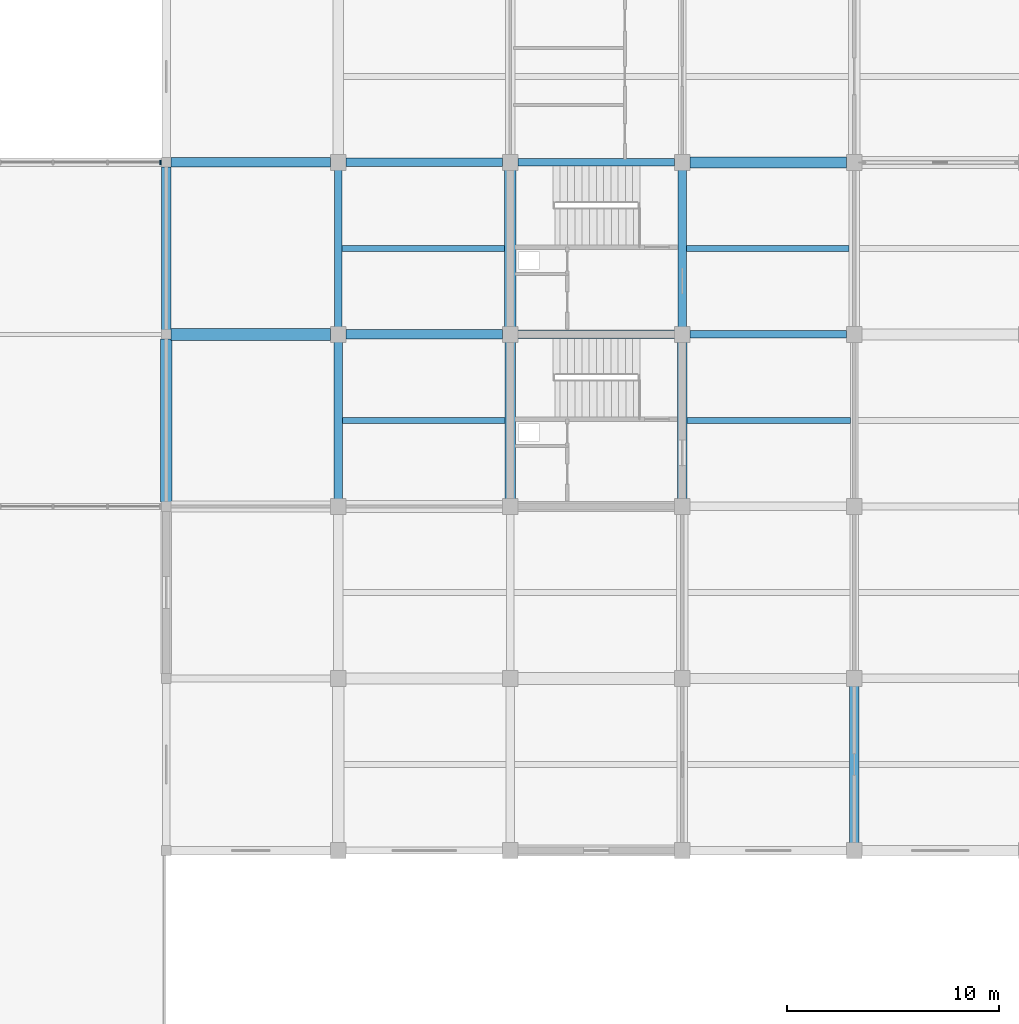
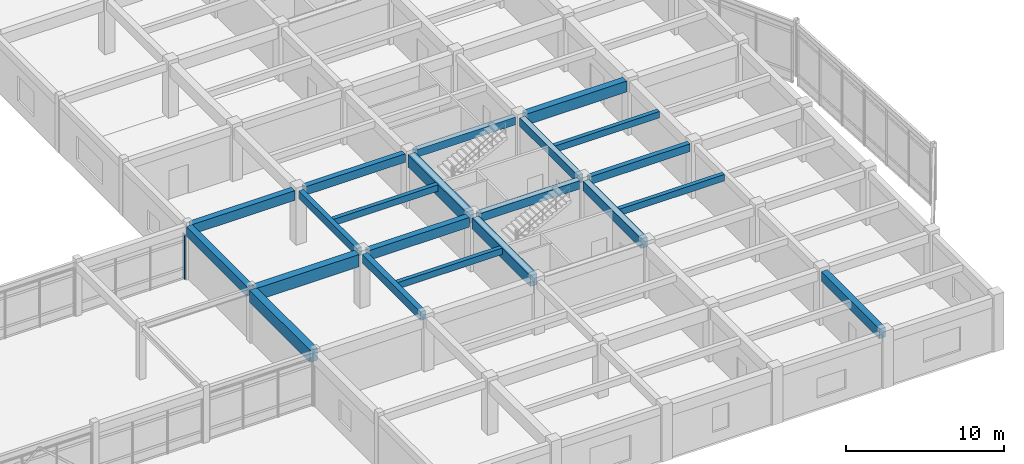
# One storey, part 37 of 89: 21 beams, 1 member, 1 element without a shape of its own.
"""IFC4 building model written with IfcOpenShell, lengths in metres."""

from ifc_helpers import new_model, si_unit, direction, frame, origin, origin_2d, place, context, subcontext, project, spatial, rectangle, extrude, material, layer, layer_set, material_profile, profile_set, type_object, element, aggregate, save


model = new_model("IFC4")

# Units and contexts
model_context = context("Model", 3, precision=1e-05, world=origin(), true_north=direction((0.0, 1.0)))
body_context = subcontext(model_context, "Body", "Model", "MODEL_VIEW")
ifc_project = project(units=[si_unit("LENGTHUNIT", "METRE"), si_unit("AREAUNIT", "SQUARE_METRE"), si_unit("VOLUMEUNIT", "CUBIC_METRE"), si_unit("PLANEANGLEUNIT", "RADIAN"), si_unit("MASSUNIT", "GRAM", prefix="KILO")], contexts=[model_context])

# Site, building, storey
site_placement = place(None, origin())
site = spatial("IfcSite", under=ifc_project, at=site_placement, CompositionType="ELEMENT")
building_placement = place(site_placement, origin())
building = spatial("IfcBuilding", under=site, at=building_placement, Name="Vaudrelin Polytechnic", CompositionType="ELEMENT")
storey_placement = place(building_placement, frame((0.0, 0.0, 9.68994140625)))
storey = spatial("IfcBuildingStorey", under=building, at=storey_placement, Name="L02", CompositionType="ELEMENT", Elevation=9.68994140625)

# Beams
ifc_material_1 = material(Name="Concrete 40 MPa", Category="concrete")
ifc_material_profile_1 = material_profile(ifc_material_1, rectangle(XDim=0.35009765625, YDim=0.60009765625, at=origin_2d()), Name="RC350x600")
ifc_profile_set_1 = profile_set([ifc_material_profile_1], Name="Concrete 40 MPa")
beam_type_1 = type_object("IfcBeamType", Name="BM-BM-RC3560", PredefinedType="BEAM", material=ifc_profile_set_1)
beam_1_placement = place(storey_placement, frame((137.699951171875, 40.860107421875, 3.840087890625), z_axis=(0.0, 1.0, 0.0), x_axis=(-1.0, 0.0, 0.0)))
element("IfcBeam", 1, at=beam_1_placement, inside=storey, type_object=beam_type_1, Name="L02 Y-beam 18-6", PredefinedType="BEAM", context=body_context, shape_type="SweptSolid", body=[
    extrude(rectangle(XDim=0.35009765625, YDim=0.60009765625, at=origin_2d()), origin(), (0.0, 0.0, 1.0), 7.3798828125),
])
beam_2_placement = place(storey_placement, frame((146.1708984375, 48.60009765625, 3.840087890625), z_axis=(1.0, 0.0, 0.0), x_axis=(0.0, 1.0, 0.0)))
element("IfcBeam", 2, at=beam_2_placement, inside=storey, type_object=beam_type_1, Name="L02 X-beam 19-7", PredefinedType="BEAM", context=body_context, shape_type="SweptSolid", body=[
    extrude(rectangle(XDim=0.35009765625, YDim=0.60009765625, at=origin_2d()), origin(), (0.0, 0.0, 1.0), 7.358154296875),
])
beam_3_placement = place(storey_placement, frame((154.27099609375, 40.5, 3.840087890625), z_axis=(1.0, 0.0, 0.0), x_axis=(0.0, 1.0, 0.0)))
element("IfcBeam", 3, at=beam_3_placement, inside=storey, type_object=beam_type_1, Name="L02 X-beam 20-6", PredefinedType="BEAM", context=body_context, shape_type="SweptSolid", body=[
    extrude(rectangle(XDim=0.35009765625, YDim=0.60009765625, at=origin_2d()), origin(), (0.0, 0.0, 1.0), 7.35791015625),
])
ifc_material_profile_2 = material_profile(ifc_material_1, rectangle(XDim=0.39990234375, YDim=0.64990234375, at=origin_2d()), Name="RC400x650")
ifc_profile_set_2 = profile_set([ifc_material_profile_2], Name="Concrete 40 MPa")
beam_type_2 = type_object("IfcBeamType", Name="BM-BM-RC4065", PredefinedType="BEAM", material=ifc_profile_set_2)
for number, where, z_axis, x_axis, name in (
    (4, (137.699951171875, 32.760009765625, 3.81494140625), (0.0, 1.0, 0.0), (-1.0, 0.0, 0.0), "L02 Y-beam 18-5"),
    (5, (153.89990234375, 40.860107421875, 3.81494140625), (0.0, 1.0, 0.0), (-1.0, 0.0, 0.0), "L02 Y-beam 20-6"),
):
    element("IfcBeam", number, at=place(storey_placement, frame(where, z_axis=z_axis, x_axis=x_axis)), inside=storey, type_object=beam_type_2, Name=name, PredefinedType="BEAM", context=body_context, shape_type="SweptSolid", body=[
        extrude(rectangle(XDim=0.39990234375, YDim=0.64990234375, at=origin_2d()), origin(), (0.0, 0.0, 1.0), 7.3798828125),
    ])
beam_4_placement = place(storey_placement, frame((138.071044921875, 48.60009765625, 3.81494140625), z_axis=(1.0, 0.0, 0.0), x_axis=(0.0, 1.0, 0.0)))
element("IfcBeam", 6, at=beam_4_placement, inside=storey, type_object=beam_type_2, Name="L02 X-beam 18-7", PredefinedType="BEAM", context=body_context, shape_type="SweptSolid", body=[
    extrude(rectangle(XDim=0.39990234375, YDim=0.64990234375, at=origin_2d()), origin(), (0.0, 0.0, 1.0), 7.35791015625),
])
beam_5_placement = place(storey_placement, frame((146.1708984375, 40.5, 3.81494140625), z_axis=(1.0, 0.0, 0.0), x_axis=(0.0, 1.0, 0.0)))
element("IfcBeam", 7, at=beam_5_placement, inside=storey, type_object=beam_type_2, Name="L02 X-beam 19-6", PredefinedType="BEAM", context=body_context, shape_type="SweptSolid", body=[
    extrude(rectangle(XDim=0.39990234375, YDim=0.64990234375, at=origin_2d()), origin(), (0.0, 0.0, 1.0), 7.358154296875),
])
ifc_material_profile_3 = material_profile(ifc_material_1, rectangle(XDim=0.449951171875, YDim=0.75, at=origin_2d()), Name="RC450x750")
ifc_profile_set_3 = profile_set([ifc_material_profile_3], Name="Concrete 40 MPa")
beam_type_3 = type_object("IfcBeamType", Name="BM-BM-RC4575", PredefinedType="BEAM", material=ifc_profile_set_3)
beam_6_placement = place(storey_placement, frame((129.60009765625, 40.7099609375, 3.76513671875), z_axis=(0.0, 1.0, 0.0), x_axis=(-1.0, 0.0, 0.0)))
element("IfcBeam", 8, at=beam_6_placement, inside=storey, type_object=beam_type_3, Name="L02 Y-beam 17-6", PredefinedType="BEAM", context=body_context, shape_type="SweptSolid", body=[
    extrude(rectangle(XDim=0.449951171875, YDim=0.75, at=origin_2d()), origin(), (0.0, 0.0, 1.0), 7.679931640625),
])
for number, where, z_axis, x_axis, name in (
    (9, (153.89990234375, 32.760009765625, 3.76513671875), (0.0, 1.0, 0.0), (-1.0, 0.0, 0.0), "L02 Y-beam 20-5"),
    (10, (162.0, 16.56005859375, 3.76513671875), (0.0, 1.0, 0.0), (-1.0, 0.0, 0.0), "L02 Y-beam 21-3"),
):
    element("IfcBeam", number, at=place(storey_placement, frame(where, z_axis=z_axis, x_axis=x_axis)), inside=storey, type_object=beam_type_3, Name=name, PredefinedType="BEAM", context=body_context, shape_type="SweptSolid", body=[
        extrude(rectangle(XDim=0.449951171875, YDim=0.75, at=origin_2d()), origin(), (0.0, 0.0, 1.0), 7.3798828125),
    ])
beam_7_placement = place(storey_placement, frame((129.821044921875, 48.60009765625, 3.76513671875), z_axis=(1.0, 0.0, 0.0), x_axis=(0.0, 1.0, 0.0)))
element("IfcBeam", 11, at=beam_7_placement, inside=storey, type_object=beam_type_3, Name="L02 X-beam 17-7", PredefinedType="BEAM", context=body_context, shape_type="SweptSolid", body=[
    extrude(rectangle(XDim=0.449951171875, YDim=0.75, at=origin_2d()), origin(), (0.0, 0.0, 1.0), 7.508056640625),
])
beam_8_placement = place(storey_placement, frame((138.071044921875, 40.5, 3.76513671875), z_axis=(1.0, 0.0, 0.0), x_axis=(0.0, 1.0, 0.0)))
element("IfcBeam", 12, at=beam_8_placement, inside=storey, type_object=beam_type_3, Name="L02 X-beam 18-6", PredefinedType="BEAM", context=body_context, shape_type="SweptSolid", body=[
    extrude(rectangle(XDim=0.449951171875, YDim=0.75, at=origin_2d()), origin(), (0.0, 0.0, 1.0), 7.35791015625),
])
ifc_material_profile_4 = material_profile(ifc_material_1, rectangle(XDim=0.5, YDim=0.85009765625, at=origin_2d()), Name="RC500x850")
ifc_profile_set_4 = profile_set([ifc_material_profile_4], Name="Concrete 40 MPa")
beam_type_4 = type_object("IfcBeamType", Name="BM-BM-RC5085", PredefinedType="BEAM", material=ifc_profile_set_4)
beam_9_placement = place(storey_placement, frame((145.800048828125, 32.760009765625, 3.715087890625), z_axis=(0.0, 1.0, 0.0), x_axis=(-1.0, 0.0, 0.0)))
element("IfcBeam", 13, at=beam_9_placement, inside=storey, type_object=beam_type_4, Name="L02 Y-beam 19-5", PredefinedType="BEAM", context=body_context, shape_type="SweptSolid", body=[
    extrude(rectangle(XDim=0.5, YDim=0.85009765625, at=origin_2d()), origin(), (0.0, 0.0, 1.0), 7.3798828125),
])
beam_10_placement = place(storey_placement, frame((154.27099609375, 48.60009765625, 3.715087890625), z_axis=(1.0, 0.0, 0.0), x_axis=(0.0, 1.0, 0.0)))
element("IfcBeam", 14, at=beam_10_placement, inside=storey, type_object=beam_type_4, Name="L02 X-beam 20-7", PredefinedType="BEAM", context=body_context, shape_type="SweptSolid", body=[
    extrude(rectangle(XDim=0.5, YDim=0.85009765625, at=origin_2d()), origin(), (0.0, 0.0, 1.0), 7.35791015625),
])
ifc_material_2 = material(Name="Concrete 50 MPa", Category="concrete")
ifc_material_profile_5 = material_profile(ifc_material_2, rectangle(XDim=0.550048828125, YDim=0.949951171875, at=origin_2d()), Name="RC550x950")
ifc_profile_set_5 = profile_set([ifc_material_profile_5], Name="Concrete 50 MPa")
beam_type_5 = type_object("IfcBeamType", Name="BM-BM-RC5595", PredefinedType="BEAM", material=ifc_profile_set_5)
beam_11_placement = place(storey_placement, frame((129.60009765625, 32.610107421875, 3.6650390625), z_axis=(0.0, 1.0, 0.0), x_axis=(-1.0, 0.0, 0.0)))
element("IfcBeam", 15, at=beam_11_placement, inside=storey, type_object=beam_type_5, Name="L02 Y-beam 17-5", PredefinedType="BEAM", context=body_context, shape_type="SweptSolid", body=[
    extrude(rectangle(XDim=0.550048828125, YDim=0.949951171875, at=origin_2d()), origin(), (0.0, 0.0, 1.0), 7.679931640625),
])
beam_12_placement = place(storey_placement, frame((145.800048828125, 40.860107421875, 3.6650390625), z_axis=(0.0, 1.0, 0.0), x_axis=(-1.0, 0.0, 0.0)))
element("IfcBeam", 16, at=beam_12_placement, inside=storey, type_object=beam_type_5, Name="L02 Y-beam 19-6", PredefinedType="BEAM", context=body_context, shape_type="SweptSolid", body=[
    extrude(rectangle(XDim=0.550048828125, YDim=0.949951171875, at=origin_2d()), origin(), (0.0, 0.0, 1.0), 7.3798828125),
])
beam_13_placement = place(storey_placement, frame((129.821044921875, 40.5, 3.6650390625), z_axis=(1.0, 0.0, 0.0), x_axis=(0.0, 1.0, 0.0)))
element("IfcBeam", 17, at=beam_13_placement, inside=storey, type_object=beam_type_5, Name="L02 X-beam 17-6", PredefinedType="BEAM", context=body_context, shape_type="SweptSolid", body=[
    extrude(rectangle(XDim=0.550048828125, YDim=0.949951171875, at=origin_2d()), origin(), (0.0, 0.0, 1.0), 7.508056640625),
])
ifc_material_profile_6 = material_profile(ifc_material_1, rectangle(XDim=0.300048828125, YDim=0.5, at=origin_2d()), Name="RC300x500")
ifc_profile_set_6 = profile_set([ifc_material_profile_6], Name="Concrete 40 MPa")
beam_type_6 = type_object("IfcBeamType", Name="BM-JS-RC3050", PredefinedType="JOIST", material=ifc_profile_set_6)
for number, where, z_axis, x_axis, name in (
    (18, (137.89599609375, 36.449951171875, 3.89013671875), (1.0, 0.0, 0.0), (0.0, 1.0, 0.0), "L02 floor joist 18-5"),
    (19, (137.87109375, 44.550048828125, 3.89013671875), (1.0, 0.0, 0.0), (0.0, 1.0, 0.0), "L02 floor joist 18-6"),
):
    element("IfcBeam", number, at=place(storey_placement, frame(where, z_axis=z_axis, x_axis=x_axis)), inside=storey, type_object=beam_type_6, Name=name, PredefinedType="JOIST", context=body_context, shape_type="SweptSolid", body=[
        extrude(rectangle(XDim=0.300048828125, YDim=0.5, at=origin_2d()), origin(), (0.0, 0.0, 1.0), 7.657958984375),
    ])
beam_14_placement = place(storey_placement, frame((154.12109375, 36.449951171875, 3.89013671875), z_axis=(1.0, 0.0, 0.0), x_axis=(0.0, 1.0, 0.0)))
element("IfcBeam", 20, at=beam_14_placement, inside=storey, type_object=beam_type_6, Name="L02 floor joist 20-5", PredefinedType="JOIST", context=body_context, shape_type="SweptSolid", body=[
    extrude(rectangle(XDim=0.300048828125, YDim=0.5, at=origin_2d()), origin(), (0.0, 0.0, 1.0), 7.7080078125),
])
beam_15_placement = place(storey_placement, frame((154.095947265625, 44.550048828125, 3.89013671875), z_axis=(1.0, 0.0, 0.0), x_axis=(0.0, 1.0, 0.0)))
element("IfcBeam", 21, at=beam_15_placement, inside=storey, type_object=beam_type_6, Name="L02 floor joist 20-6", PredefinedType="JOIST", context=body_context, shape_type="SweptSolid", body=[
    extrude(rectangle(XDim=0.300048828125, YDim=0.5, at=origin_2d()), origin(), (0.0, 0.0, 1.0), 7.657958984375),
])

# Curtain wall, member
ifc_material_3 = material(Name="Thermally broken anodised aluminium AA 6063-T6 and low-e triple glazing", Category="aluminium")
ifc_layer = layer(ifc_material_3, 0.199951171875)
ifc_layer_set = layer_set([ifc_layer], Name="Thermally broken anodised aluminium AA 6063-T6 and low-e triple glazing")
curtain_wall_type = type_object("IfcCurtainWallType", Name="CW-CW-WG", PredefinedType="USERDEFINED", material=ifc_layer_set)
curtain_wall_placement = place(storey_placement, origin())
curtain_wall = element("IfcCurtainWall", 22, at=curtain_wall_placement, inside=storey, type_object=curtain_wall_type, Name="Curtain wall L02 CT_S_09", ObjectType="CURTAIN WALL", PredefinedType="USERDEFINED")
ifc_material_4 = material(Name="Anodised aluminium AA 6063-T6", Category="aluminium")
ifc_material_profile_7 = material_profile(ifc_material_4, rectangle(XDim=0.074951171875, YDim=0.219970703125, at=origin_2d()), Name="CWM-75x220")
ifc_profile_set_7 = profile_set([ifc_material_profile_7], Name="Anodised aluminium AA 6063-T6")
member_type = type_object("IfcMemberType", Name="MEM-CWM-220", PredefinedType="MULLION", material=ifc_profile_set_7)
member_placement = place(storey_placement, frame((129.3369140625, 48.60009765625, 0.0), z_axis=(0.0, 0.0, 1.0), x_axis=(1.0, 0.0, 0.0)))
member = element("IfcMember", 23, at=member_placement, type_object=member_type, Name="CT_S_09 mullion 4", PredefinedType="MULLION", context=body_context, shape_type="SweptSolid", body=[
    extrude(rectangle(XDim=0.074951171875, YDim=0.219970703125, at=origin_2d()), origin(), (0.0, 0.0, 1.0), 3.491943359375),
])
aggregate(curtain_wall, [member])

save(model, "model.ifc")
